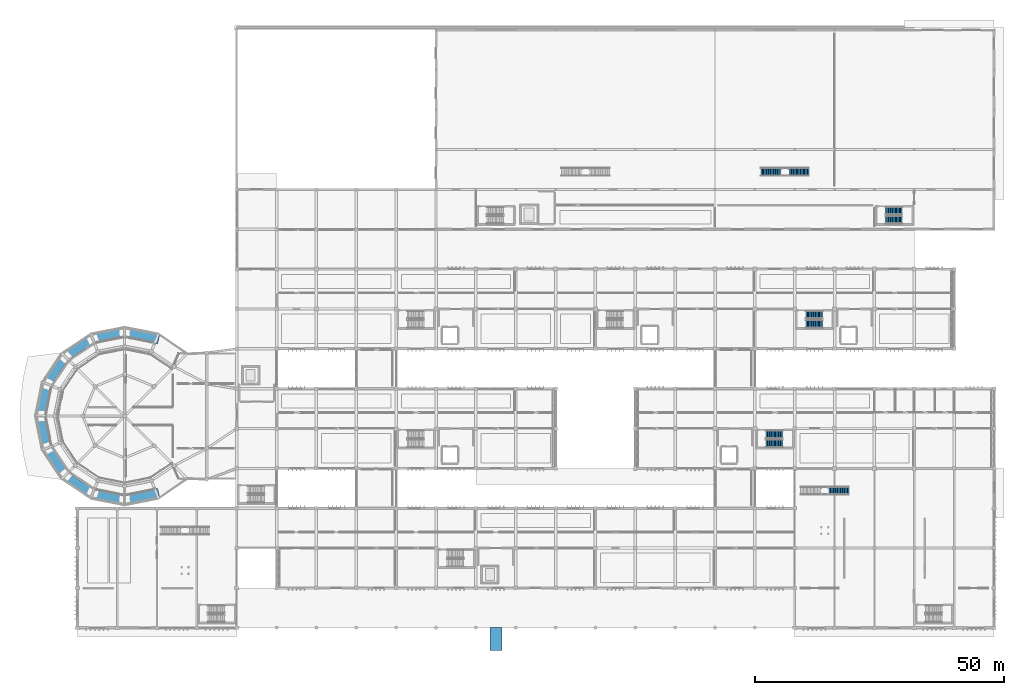
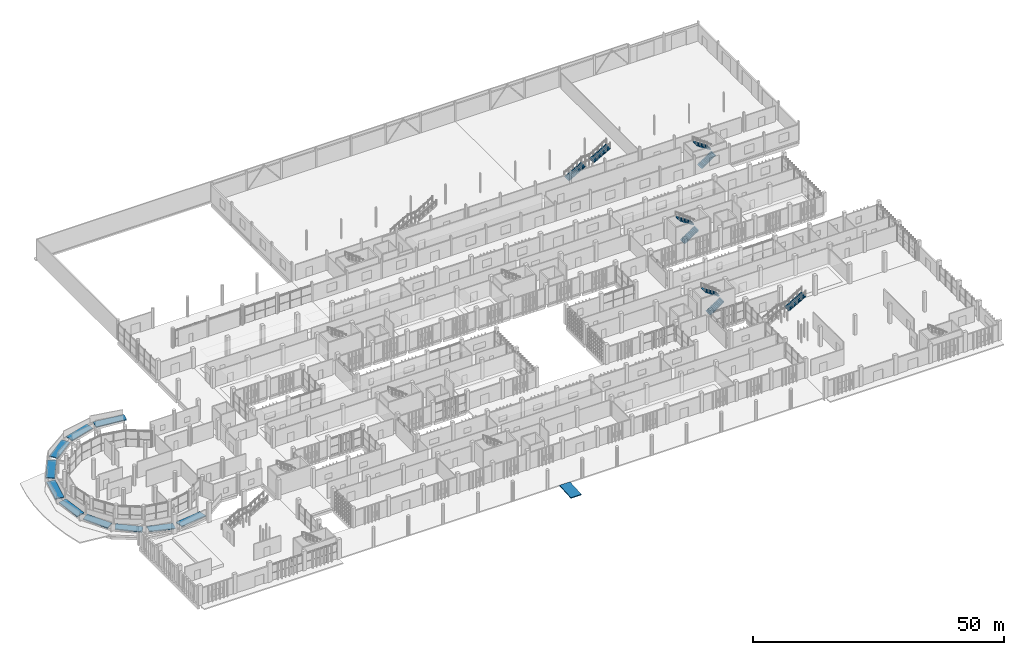
# One storey, part 100 of 117: 11 ramp flights, 9 stair flights, 7 elements without a shape of their own.
"""IFC4 building model written with IfcOpenShell, lengths in metres."""

from ifc_helpers import new_model, si_unit, direction, frame, origin, place, context, subcontext, project, spatial, polyline, outline, extrude, material, type_object, element, aggregate, save


model = new_model("IFC4")

# Units and contexts
model_context = context("Model", 3, precision=1e-05, world=origin(), true_north=direction((0.0, 1.0)))
body_context = subcontext(model_context, "Body", "Model", "MODEL_VIEW")
ifc_project = project(units=[si_unit("LENGTHUNIT", "METRE"), si_unit("AREAUNIT", "SQUARE_METRE"), si_unit("VOLUMEUNIT", "CUBIC_METRE"), si_unit("PLANEANGLEUNIT", "RADIAN"), si_unit("MASSUNIT", "GRAM", prefix="KILO")], contexts=[model_context])

# Site, building, storey
site_placement = place(None, origin())
site = spatial("IfcSite", under=ifc_project, at=site_placement, CompositionType="ELEMENT")
building_placement = place(site_placement, origin())
building = spatial("IfcBuilding", under=site, at=building_placement, Name="Jelvoka-Kovrelna Polytechnic", CompositionType="ELEMENT")
storey_placement = place(building_placement, origin())
storey = spatial("IfcBuildingStorey", under=building, at=storey_placement, Name="L01", CompositionType="ELEMENT", Elevation=0.0)

# Stair, stair flights
ifc_material_1 = material(Name="Concrete C35/45", Category="concrete")
stair_type_1 = type_object("IfcStairType", Name="Stair_Straight_1650", PredefinedType="STRAIGHT_RUN_STAIR", material=ifc_material_1)
stair_1_placement = place(storey_placement, origin())
stair_1 = element("IfcStair", 1, at=stair_1_placement, inside=storey, type_object=stair_type_1, Name="L01 straight feature stair ST13", PredefinedType="STRAIGHT_RUN_STAIR")
ifc_material_2 = material(Name="Concrete C35/45", Category="concrete")
stair_flight_type_1 = type_object("IfcStairFlightType", Name="Flight_RC_160", PredefinedType="STRAIGHT", material=ifc_material_2)
stair_flight_1_placement = place(storey_placement, frame((153.199951171875, 91.5, 0.0), z_axis=(0.0, 0.0, 1.0), x_axis=(1.0, 0.0, 0.0)))
stair_flight_1 = element("IfcStairFlight", 2, at=stair_flight_1_placement, type_object=stair_flight_type_1, Name="ST13 flight 1", NumberOfRisers=15, NumberOfTreads=14, PredefinedType="STRAIGHT", RiserHeight=0.16, TreadLength=0.28, context=body_context, shape_type="SweptSolid", body=[
    extrude(outline(polyline([(0.0, 0.0), (0.0, 0.159912109375), (0.280029296875, 0.159912109375), (0.280029296875, 0.320068359375), (0.56005859375, 0.320068359375), (0.56005859375, 0.47998046875), (0.840087890625, 0.47998046875), (0.840087890625, 0.639892578125), (1.1201171875, 0.639892578125), (1.1201171875, 0.800048828125), (1.39990234375, 0.800048828125), (1.39990234375, 0.9599609375), (1.679931640625, 0.9599609375), (1.679931640625, 1.1201171875), (1.9599609375, 1.1201171875), (1.9599609375, 1.280029296875), (2.239990234375, 1.280029296875), (2.239990234375, 1.43994140625), (2.52001953125, 1.43994140625), (2.52001953125, 1.60009765625), (2.800048828125, 1.60009765625), (2.800048828125, 1.760009765625), (3.080078125, 1.760009765625), (3.080078125, 1.919921875), (3.360107421875, 1.919921875), (3.360107421875, 2.080078125), (3.639892578125, 2.080078125), (3.639892578125, 2.239990234375), (3.919921875, 2.239990234375), (3.919921875, 2.39990234375), (3.919921875, 2.03271484375), (0.362548828125, 0.0), (0.0, 0.0)])), frame((0.0, 0.824951171875, 0.0), z_axis=(0.0, -1.0, 0.0), x_axis=(1.0, 0.0, 0.0)), (0.0, 0.0, 1.0), 1.64990234375),
])
stair_flight_2_placement = place(storey_placement, frame((158.919921875, 91.5, 2.39990234375), z_axis=(0.0, 0.0, 1.0), x_axis=(1.0, 0.0, 0.0)))
stair_flight_2 = element("IfcStairFlight", 3, at=stair_flight_2_placement, type_object=stair_flight_type_1, Name="ST13 flight 2", NumberOfRisers=15, NumberOfTreads=14, PredefinedType="STRAIGHT", RiserHeight=0.16, TreadLength=0.28, context=body_context, shape_type="SweptSolid", body=[
    extrude(outline(polyline([(0.0, 0.0), (0.0, 0.159912109375), (0.280029296875, 0.159912109375), (0.280029296875, 0.320068359375), (0.56005859375, 0.320068359375), (0.56005859375, 0.47998046875), (0.840087890625, 0.47998046875), (0.840087890625, 0.639892578125), (1.1201171875, 0.639892578125), (1.1201171875, 0.800048828125), (1.39990234375, 0.800048828125), (1.39990234375, 0.9599609375), (1.679931640625, 0.9599609375), (1.679931640625, 1.1201171875), (1.9599609375, 1.1201171875), (1.9599609375, 1.280029296875), (2.239990234375, 1.280029296875), (2.239990234375, 1.43994140625), (2.52001953125, 1.43994140625), (2.52001953125, 1.60009765625), (2.800048828125, 1.60009765625), (2.800048828125, 1.760009765625), (3.080078125, 1.760009765625), (3.080078125, 1.919921875), (3.360107421875, 1.919921875), (3.360107421875, 2.080078125), (3.639892578125, 2.080078125), (3.639892578125, 2.239990234375), (3.919921875, 2.239990234375), (3.919921875, 2.39990234375), (3.919921875, 2.03271484375), (0.362548828125, 0.0), (0.0, 0.0)])), frame((0.0, 0.824951171875, 0.0), z_axis=(0.0, -1.0, 0.0), x_axis=(1.0, 0.0, 0.0)), (0.0, 0.0, 1.0), 1.64990234375),
])
aggregate(stair_1, [stair_flight_1, stair_flight_2])

# Stair, stair flight
stair_2_placement = place(storey_placement, origin())
stair_2 = element("IfcStair", 4, at=stair_2_placement, inside=storey, type_object=stair_type_1, Name="L01 straight feature stair ST16", PredefinedType="STRAIGHT_RUN_STAIR")
stair_flight_3_placement = place(storey_placement, frame((166.919921875, 27.5, 2.39990234375), z_axis=(0.0, 0.0, 1.0), x_axis=(1.0, 0.0, 0.0)))
stair_flight_3 = element("IfcStairFlight", 5, at=stair_flight_3_placement, type_object=stair_flight_type_1, Name="ST16 flight 2", NumberOfRisers=15, NumberOfTreads=14, PredefinedType="STRAIGHT", RiserHeight=0.16, TreadLength=0.28, context=body_context, shape_type="SweptSolid", body=[
    extrude(outline(polyline([(0.0, 0.0), (0.0, 0.159912109375), (0.280029296875, 0.159912109375), (0.280029296875, 0.320068359375), (0.56005859375, 0.320068359375), (0.56005859375, 0.47998046875), (0.840087890625, 0.47998046875), (0.840087890625, 0.639892578125), (1.1201171875, 0.639892578125), (1.1201171875, 0.800048828125), (1.39990234375, 0.800048828125), (1.39990234375, 0.9599609375), (1.679931640625, 0.9599609375), (1.679931640625, 1.1201171875), (1.9599609375, 1.1201171875), (1.9599609375, 1.280029296875), (2.239990234375, 1.280029296875), (2.239990234375, 1.43994140625), (2.52001953125, 1.43994140625), (2.52001953125, 1.60009765625), (2.800048828125, 1.60009765625), (2.800048828125, 1.760009765625), (3.080078125, 1.760009765625), (3.080078125, 1.919921875), (3.360107421875, 1.919921875), (3.360107421875, 2.080078125), (3.639892578125, 2.080078125), (3.639892578125, 2.239990234375), (3.919921875, 2.239990234375), (3.919921875, 2.39990234375), (3.919921875, 2.03271484375), (0.362548828125, 0.0), (0.0, 0.0)])), frame((0.0, 0.824951171875, 0.0), z_axis=(0.0, -1.0, 0.0), x_axis=(1.0, 0.0, 0.0)), (0.0, 0.0, 1.0), 1.64990234375),
])
aggregate(stair_2, [stair_flight_3])

# Stair, stair flights
ifc_material_3 = material(Name="Concrete C35/45", Category="concrete")
stair_type_2 = type_object("IfcStairType", Name="Stair_Dogleg_1620", PredefinedType="TWO_STRAIGHT_RUN_STAIR", material=ifc_material_3)
stair_3_placement = place(storey_placement, origin())
stair_3 = element("IfcStair", 6, at=stair_3_placement, inside=storey, type_object=stair_type_2, Name="L01 ST02", PredefinedType="TWO_STRAIGHT_RUN_STAIR")
ifc_material_4 = material(Name="Concrete C35/45", Category="concrete")
stair_flight_type_2 = type_object("IfcStairFlightType", Name="Flight_RC_185", PredefinedType="STRAIGHT", material=ifc_material_4)
stair_flight_4_placement = place(storey_placement, frame((178.25, 81.909912109375, 0.0), z_axis=(0.0, 0.0, 1.0), x_axis=(1.0, 0.0, 0.0)))
stair_flight_4 = element("IfcStairFlight", 7, at=stair_flight_4_placement, type_object=stair_flight_type_2, Name="ST02 flight 1", NumberOfRisers=13, NumberOfTreads=12, PredefinedType="STRAIGHT", RiserHeight=0.184615385, TreadLength=0.275, context=body_context, shape_type="SweptSolid", body=[
    extrude(outline(polyline([(0.0, 0.0), (0.0, 0.1845703125), (0.27490234375, 0.1845703125), (0.27490234375, 0.369140625), (0.550048828125, 0.369140625), (0.550048828125, 0.553955078125), (0.824951171875, 0.553955078125), (0.824951171875, 0.738525390625), (1.10009765625, 0.738525390625), (1.10009765625, 0.923095703125), (1.375, 0.923095703125), (1.375, 1.107666015625), (1.64990234375, 1.107666015625), (1.64990234375, 1.292236328125), (1.925048828125, 1.292236328125), (1.925048828125, 1.476806640625), (2.199951171875, 1.476806640625), (2.199951171875, 1.66162109375), (2.47509765625, 1.66162109375), (2.47509765625, 1.84619140625), (2.75, 1.84619140625), (2.75, 2.03076171875), (3.02490234375, 2.03076171875), (3.02490234375, 2.21533203125), (3.300048828125, 2.21533203125), (3.300048828125, 2.39990234375), (3.300048828125, 1.998779296875), (0.32275390625, 0.0), (0.0, 0.0)])), frame((0.0, 0.81005859375, 0.0), z_axis=(0.0, -1.0, 0.0), x_axis=(1.0, 0.0, 0.0)), (0.0, 0.0, 1.0), 1.6201171875),
])
stair_flight_5_placement = place(storey_placement, frame((181.550048828125, 83.72998046875, 2.39990234375), z_axis=(0.0, 0.0, 1.0), x_axis=(-1.0, 0.0, 0.0)))
stair_flight_5 = element("IfcStairFlight", 8, at=stair_flight_5_placement, type_object=stair_flight_type_2, Name="ST02 flight 2", NumberOfRisers=13, NumberOfTreads=12, PredefinedType="STRAIGHT", RiserHeight=0.184615385, TreadLength=0.275, context=body_context, shape_type="SweptSolid", body=[
    extrude(outline(polyline([(0.0, 0.0), (0.0, 0.1845703125), (0.27490234375, 0.1845703125), (0.27490234375, 0.369140625), (0.550048828125, 0.369140625), (0.550048828125, 0.553955078125), (0.824951171875, 0.553955078125), (0.824951171875, 0.738525390625), (1.10009765625, 0.738525390625), (1.10009765625, 0.923095703125), (1.375, 0.923095703125), (1.375, 1.107666015625), (1.64990234375, 1.107666015625), (1.64990234375, 1.292236328125), (1.925048828125, 1.292236328125), (1.925048828125, 1.476806640625), (2.199951171875, 1.476806640625), (2.199951171875, 1.66162109375), (2.47509765625, 1.66162109375), (2.47509765625, 1.84619140625), (2.75, 1.84619140625), (2.75, 2.03076171875), (3.02490234375, 2.03076171875), (3.02490234375, 2.21533203125), (3.300048828125, 2.21533203125), (3.300048828125, 2.39990234375), (3.300048828125, 1.998779296875), (0.32275390625, 0.0), (0.0, 0.0)])), frame((0.0, 0.81005859375, 0.0), z_axis=(0.0, -1.0, 0.0), x_axis=(1.0, 0.0, 0.0)), (0.0, 0.0, 1.0), 1.6201171875),
])
aggregate(stair_3, [stair_flight_4, stair_flight_5])

stair_4_placement = place(storey_placement, origin())
stair_4 = element("IfcStair", 9, at=stair_4_placement, inside=storey, type_object=stair_type_2, Name="L01 ST08", PredefinedType="TWO_STRAIGHT_RUN_STAIR")
stair_flight_6_placement = place(storey_placement, frame((154.25, 37.010009765625, 0.0), z_axis=(0.0, 0.0, 1.0), x_axis=(1.0, 0.0, 0.0)))
stair_flight_6 = element("IfcStairFlight", 10, at=stair_flight_6_placement, type_object=stair_flight_type_2, Name="ST08 flight 1", NumberOfRisers=13, NumberOfTreads=12, PredefinedType="STRAIGHT", RiserHeight=0.184615385, TreadLength=0.275, context=body_context, shape_type="SweptSolid", body=[
    extrude(outline(polyline([(0.0, 0.0), (0.0, 0.1845703125), (0.27490234375, 0.1845703125), (0.27490234375, 0.369140625), (0.550048828125, 0.369140625), (0.550048828125, 0.553955078125), (0.824951171875, 0.553955078125), (0.824951171875, 0.738525390625), (1.10009765625, 0.738525390625), (1.10009765625, 0.923095703125), (1.375, 0.923095703125), (1.375, 1.107666015625), (1.64990234375, 1.107666015625), (1.64990234375, 1.292236328125), (1.925048828125, 1.292236328125), (1.925048828125, 1.476806640625), (2.199951171875, 1.476806640625), (2.199951171875, 1.66162109375), (2.47509765625, 1.66162109375), (2.47509765625, 1.84619140625), (2.75, 1.84619140625), (2.75, 2.03076171875), (3.02490234375, 2.03076171875), (3.02490234375, 2.21533203125), (3.300048828125, 2.21533203125), (3.300048828125, 2.39990234375), (3.300048828125, 1.998779296875), (0.32275390625, 0.0), (0.0, 0.0)])), frame((0.0, 0.81005859375, 0.0), z_axis=(0.0, -1.0, 0.0), x_axis=(1.0, 0.0, 0.0)), (0.0, 0.0, 1.0), 1.6201171875),
])
stair_flight_7_placement = place(storey_placement, frame((157.550048828125, 38.830078125, 2.39990234375), z_axis=(0.0, 0.0, 1.0), x_axis=(-1.0, 0.0, 0.0)))
stair_flight_7 = element("IfcStairFlight", 11, at=stair_flight_7_placement, type_object=stair_flight_type_2, Name="ST08 flight 2", NumberOfRisers=13, NumberOfTreads=12, PredefinedType="STRAIGHT", RiserHeight=0.184615385, TreadLength=0.275, context=body_context, shape_type="SweptSolid", body=[
    extrude(outline(polyline([(0.0, 0.0), (0.0, 0.1845703125), (0.27490234375, 0.1845703125), (0.27490234375, 0.369140625), (0.550048828125, 0.369140625), (0.550048828125, 0.553955078125), (0.824951171875, 0.553955078125), (0.824951171875, 0.738525390625), (1.10009765625, 0.738525390625), (1.10009765625, 0.923095703125), (1.375, 0.923095703125), (1.375, 1.107666015625), (1.64990234375, 1.107666015625), (1.64990234375, 1.292236328125), (1.925048828125, 1.292236328125), (1.925048828125, 1.476806640625), (2.199951171875, 1.476806640625), (2.199951171875, 1.66162109375), (2.47509765625, 1.66162109375), (2.47509765625, 1.84619140625), (2.75, 1.84619140625), (2.75, 2.03076171875), (3.02490234375, 2.03076171875), (3.02490234375, 2.21533203125), (3.300048828125, 2.21533203125), (3.300048828125, 2.39990234375), (3.300048828125, 1.998779296875), (0.32275390625, 0.0), (0.0, 0.0)])), frame((0.0, 0.81005859375, 0.0), z_axis=(0.0, -1.0, 0.0), x_axis=(1.0, 0.0, 0.0)), (0.0, 0.0, 1.0), 1.6201171875),
])
aggregate(stair_4, [stair_flight_6, stair_flight_7])

stair_5_placement = place(storey_placement, origin())
stair_5 = element("IfcStair", 12, at=stair_5_placement, inside=storey, type_object=stair_type_2, Name="L01 ST10", PredefinedType="TWO_STRAIGHT_RUN_STAIR")
stair_flight_8_placement = place(storey_placement, frame((162.25, 61.010009765625, 0.0), z_axis=(0.0, 0.0, 1.0), x_axis=(1.0, 0.0, 0.0)))
stair_flight_8 = element("IfcStairFlight", 13, at=stair_flight_8_placement, type_object=stair_flight_type_2, Name="ST10 flight 1", NumberOfRisers=13, NumberOfTreads=12, PredefinedType="STRAIGHT", RiserHeight=0.184615385, TreadLength=0.275, context=body_context, shape_type="SweptSolid", body=[
    extrude(outline(polyline([(0.0, 0.0), (0.0, 0.1845703125), (0.27490234375, 0.1845703125), (0.27490234375, 0.369140625), (0.550048828125, 0.369140625), (0.550048828125, 0.553955078125), (0.824951171875, 0.553955078125), (0.824951171875, 0.738525390625), (1.10009765625, 0.738525390625), (1.10009765625, 0.923095703125), (1.375, 0.923095703125), (1.375, 1.107666015625), (1.64990234375, 1.107666015625), (1.64990234375, 1.292236328125), (1.925048828125, 1.292236328125), (1.925048828125, 1.476806640625), (2.199951171875, 1.476806640625), (2.199951171875, 1.66162109375), (2.47509765625, 1.66162109375), (2.47509765625, 1.84619140625), (2.75, 1.84619140625), (2.75, 2.03076171875), (3.02490234375, 2.03076171875), (3.02490234375, 2.21533203125), (3.300048828125, 2.21533203125), (3.300048828125, 2.39990234375), (3.300048828125, 1.998779296875), (0.32275390625, 0.0), (0.0, 0.0)])), frame((0.0, 0.81005859375, 0.0), z_axis=(0.0, -1.0, 0.0), x_axis=(1.0, 0.0, 0.0)), (0.0, 0.0, 1.0), 1.6201171875),
])
stair_flight_9_placement = place(storey_placement, frame((165.550048828125, 62.830078125, 2.39990234375), z_axis=(0.0, 0.0, 1.0), x_axis=(-1.0, 0.0, 0.0)))
stair_flight_9 = element("IfcStairFlight", 14, at=stair_flight_9_placement, type_object=stair_flight_type_2, Name="ST10 flight 2", NumberOfRisers=13, NumberOfTreads=12, PredefinedType="STRAIGHT", RiserHeight=0.184615385, TreadLength=0.275, context=body_context, shape_type="SweptSolid", body=[
    extrude(outline(polyline([(0.0, 0.0), (0.0, 0.1845703125), (0.27490234375, 0.1845703125), (0.27490234375, 0.369140625), (0.550048828125, 0.369140625), (0.550048828125, 0.553955078125), (0.824951171875, 0.553955078125), (0.824951171875, 0.738525390625), (1.10009765625, 0.738525390625), (1.10009765625, 0.923095703125), (1.375, 0.923095703125), (1.375, 1.107666015625), (1.64990234375, 1.107666015625), (1.64990234375, 1.292236328125), (1.925048828125, 1.292236328125), (1.925048828125, 1.476806640625), (2.199951171875, 1.476806640625), (2.199951171875, 1.66162109375), (2.47509765625, 1.66162109375), (2.47509765625, 1.84619140625), (2.75, 1.84619140625), (2.75, 2.03076171875), (3.02490234375, 2.03076171875), (3.02490234375, 2.21533203125), (3.300048828125, 2.21533203125), (3.300048828125, 2.39990234375), (3.300048828125, 1.998779296875), (0.32275390625, 0.0), (0.0, 0.0)])), frame((0.0, 0.81005859375, 0.0), z_axis=(0.0, -1.0, 0.0), x_axis=(1.0, 0.0, 0.0)), (0.0, 0.0, 1.0), 1.6201171875),
])
aggregate(stair_5, [stair_flight_8, stair_flight_9])

# Ramp, ramp flights
ifc_material_5 = material(Name="Precast concrete C40/50", Category="concrete")
ramp_type = type_object("IfcRampType", Name="Ramp_Accessible_RC", PredefinedType="SPIRAL_RAMP", material=ifc_material_5)
ramp_1_placement = place(storey_placement, origin())
ramp_1 = element("IfcRamp", 15, at=ramp_1_placement, inside=storey, type_object=ramp_type, Name="L01 spiral rotunda accessible ramp", PredefinedType="SPIRAL_RAMP")
ramp_flight_type = type_object("IfcRampFlightType", Name="RampFlight_RC_220", PredefinedType="STRAIGHT", material=ifc_material_5)
ramp_flight_1_placement = place(None, frame((32.32666015625, 27.0947265625, 0.0), z_axis=(0.0, 0.0, 1.0), x_axis=(-0.97485927699, -0.222821430898, 0.0)))
ramp_flight_1 = element("IfcRampFlight", 16, at=ramp_flight_1_placement, type_object=ramp_flight_type, Name="L01 rotunda spiral ramp flight F01", PredefinedType="STRAIGHT", context=body_context, shape_type="SweptSolid", body=[
    extrude(outline(polyline([(0.0, 0.0), (6.444580078125, 0.47998046875), (6.444580078125, 0.260009765625), (0.0, -0.219970703125), (0.0, 0.0)])), frame((0.0, 0.929931640625, 0.0), z_axis=(0.0, -1.0, 0.0), x_axis=(1.0, 0.0, 0.0)), (0.0, 0.0, 1.0), 1.860107421875),
])
ramp_flight_2_placement = place(None, frame((24.9560546875, 25.65869140625, 0.47998046875), z_axis=(0.0, 0.0, 1.0), x_axis=(-0.980784885236, 0.195092308646, 0.0)))
ramp_flight_2 = element("IfcRampFlight", 17, at=ramp_flight_2_placement, type_object=ramp_flight_type, Name="L01 rotunda spiral ramp flight F02", PredefinedType="STRAIGHT", context=body_context, shape_type="SweptSolid", body=[
    extrude(outline(polyline([(0.0, 0.0), (5.504150390625, 0.47998046875), (5.504150390625, 0.260009765625), (0.0, -0.219970703125), (0.0, 0.0)])), frame((0.0, 0.929931640625, 0.0), z_axis=(0.0, -1.0, 0.0), x_axis=(1.0, 0.0, 0.0)), (0.0, 0.0, 1.0), 1.860107421875),
])
ramp_flight_3_placement = place(None, frame((18.552490234375, 27.14892578125, 0.9599609375), z_axis=(0.0, 0.0, 1.0), x_axis=(-0.831471251924, 0.555567779145, 0.0)))
ramp_flight_3 = element("IfcRampFlight", 18, at=ramp_flight_3_placement, type_object=ramp_flight_type, Name="L01 rotunda spiral ramp flight F03", PredefinedType="STRAIGHT", context=body_context, shape_type="SweptSolid", body=[
    extrude(outline(polyline([(0.0, 0.0), (5.504150390625, 0.47998046875), (5.504150390625, 0.260009765625), (0.0, -0.219970703125), (0.0, 0.0)])), frame((0.0, 0.929931640625, 0.0), z_axis=(0.0, -1.0, 0.0), x_axis=(1.0, 0.0, 0.0)), (0.0, 0.0, 1.0), 1.860107421875),
])
ramp_flight_4_placement = place(None, frame((13.206787109375, 30.97607421875, 1.43994140625), z_axis=(0.0, 0.0, 1.0), x_axis=(-0.555567779145, 0.831471251924, 0.0)))
ramp_flight_4 = element("IfcRampFlight", 19, at=ramp_flight_4_placement, type_object=ramp_flight_type, Name="L01 rotunda spiral ramp flight F04", PredefinedType="STRAIGHT", context=body_context, shape_type="SweptSolid", body=[
    extrude(outline(polyline([(0.0, 0.0), (5.504150390625, 0.47998046875), (5.504150390625, 0.260009765625), (0.0, -0.219970703125), (0.0, 0.0)])), frame((0.0, 0.929931640625, 0.0), z_axis=(0.0, -1.0, 0.0), x_axis=(1.0, 0.0, 0.0)), (0.0, 0.0, 1.0), 1.860107421875),
])
ramp_flight_5_placement = place(None, frame((9.732666015625, 36.5576171875, 1.919921875), z_axis=(0.0, 0.0, 1.0), x_axis=(-0.195092308646, 0.980784885236, 0.0)))
ramp_flight_5 = element("IfcRampFlight", 20, at=ramp_flight_5_placement, type_object=ramp_flight_type, Name="L01 rotunda spiral ramp flight F05", PredefinedType="STRAIGHT", context=body_context, shape_type="SweptSolid", body=[
    extrude(outline(polyline([(0.0, 0.0), (5.504150390625, 0.47998046875), (5.504150390625, 0.260009765625), (0.0, -0.219970703125), (0.0, 0.0)])), frame((0.0, 0.929931640625, 0.0), z_axis=(0.0, -1.0, 0.0), x_axis=(1.0, 0.0, 0.0)), (0.0, 0.0, 1.0), 1.860107421875),
])
ramp_flight_6_placement = place(None, frame((8.65869140625, 43.0439453125, 2.39990234375), z_axis=(0.0, 0.0, 1.0), x_axis=(0.195092308646, 0.980784885236, 0.0)))
ramp_flight_6 = element("IfcRampFlight", 21, at=ramp_flight_6_placement, type_object=ramp_flight_type, Name="L01 rotunda spiral ramp flight F06", PredefinedType="STRAIGHT", context=body_context, shape_type="SweptSolid", body=[
    extrude(outline(polyline([(0.0, 0.0), (5.504150390625, 0.47998046875), (5.504150390625, 0.260009765625), (0.0, -0.219970703125), (0.0, 0.0)])), frame((0.0, 0.929931640625, 0.0), z_axis=(0.0, -1.0, 0.0), x_axis=(1.0, 0.0, 0.0)), (0.0, 0.0, 1.0), 1.860107421875),
])
ramp_flight_7_placement = place(None, frame((10.14892578125, 49.447509765625, 2.8798828125), z_axis=(0.0, 0.0, 1.0), x_axis=(0.555567779145, 0.831471251924, 0.0)))
ramp_flight_7 = element("IfcRampFlight", 22, at=ramp_flight_7_placement, type_object=ramp_flight_type, Name="L01 rotunda spiral ramp flight F07", PredefinedType="STRAIGHT", context=body_context, shape_type="SweptSolid", body=[
    extrude(outline(polyline([(0.0, 0.0), (5.504150390625, 0.47998046875), (5.504150390625, 0.260009765625), (0.0, -0.219970703125), (0.0, 0.0)])), frame((0.0, 0.929931640625, 0.0), z_axis=(0.0, -1.0, 0.0), x_axis=(1.0, 0.0, 0.0)), (0.0, 0.0, 1.0), 1.860107421875),
])
ramp_flight_8_placement = place(None, frame((13.97607421875, 54.793212890625, 3.360107421875), z_axis=(0.0, 0.0, 1.0), x_axis=(0.831471251924, 0.555567779145, 0.0)))
ramp_flight_8 = element("IfcRampFlight", 23, at=ramp_flight_8_placement, type_object=ramp_flight_type, Name="L01 rotunda spiral ramp flight F08", PredefinedType="STRAIGHT", context=body_context, shape_type="SweptSolid", body=[
    extrude(outline(polyline([(0.0, 0.0), (5.504150390625, 0.47998046875), (5.504150390625, 0.260009765625), (0.0, -0.219970703125), (0.0, 0.0)])), frame((0.0, 0.929931640625, 0.0), z_axis=(0.0, -1.0, 0.0), x_axis=(1.0, 0.0, 0.0)), (0.0, 0.0, 1.0), 1.860107421875),
])
ramp_flight_9_placement = place(None, frame((19.5576171875, 58.267333984375, 3.840087890625), z_axis=(0.0, 0.0, 1.0), x_axis=(0.980784885236, 0.195092308646, 0.0)))
ramp_flight_9 = element("IfcRampFlight", 24, at=ramp_flight_9_placement, type_object=ramp_flight_type, Name="L01 rotunda spiral ramp flight F09", PredefinedType="STRAIGHT", context=body_context, shape_type="SweptSolid", body=[
    extrude(outline(polyline([(0.0, 0.0), (5.504150390625, 0.47998046875), (5.504150390625, 0.260009765625), (0.0, -0.219970703125), (0.0, 0.0)])), frame((0.0, 0.929931640625, 0.0), z_axis=(0.0, -1.0, 0.0), x_axis=(1.0, 0.0, 0.0)), (0.0, 0.0, 1.0), 1.860107421875),
])
ramp_flight_10_placement = place(None, frame((26.0439453125, 59.34130859375, 4.320068359375), z_axis=(0.0, 0.0, 1.0), x_axis=(0.97485927699, -0.222821430898, 0.0)))
ramp_flight_10 = element("IfcRampFlight", 25, at=ramp_flight_10_placement, type_object=ramp_flight_type, Name="L01 rotunda spiral ramp flight F10", PredefinedType="STRAIGHT", context=body_context, shape_type="SweptSolid", body=[
    extrude(outline(polyline([(0.0, 0.0), (6.444580078125, 0.47998046875), (6.444580078125, 0.260009765625), (0.0, -0.219970703125), (0.0, 0.0)])), frame((0.0, 0.929931640625, 0.0), z_axis=(0.0, -1.0, 0.0), x_axis=(1.0, 0.0, 0.0)), (0.0, 0.0, 1.0), 1.860107421875),
])
aggregate(ramp_1, [ramp_flight_1, ramp_flight_2, ramp_flight_3, ramp_flight_4, ramp_flight_5, ramp_flight_6, ramp_flight_7, ramp_flight_8, ramp_flight_9, ramp_flight_10])

# Ramp, ramp flight
ramp_2_placement = place(storey_placement, origin())
ramp_2 = element("IfcRamp", 26, at=ramp_2_placement, inside=storey, type_object=ramp_type, Name="L01 south avenue step-free entrance ramp", PredefinedType="STRAIGHT_RUN_RAMP")
ramp_flight_11_placement = place(None, frame((100.0, -4.52001953125, -0.280029296875), z_axis=(0.0, 0.0, 1.0), x_axis=(0.0, 1.0, 0.0)))
ramp_flight_11 = element("IfcRampFlight", 27, at=ramp_flight_11_placement, type_object=ramp_flight_type, Name="L01 main entrance ramp flight", PredefinedType="STRAIGHT", context=body_context, shape_type="SweptSolid", body=[
    extrude(outline(polyline([(0.0, 0.0), (4.5400390625, 0.280029296875), (4.5400390625, 0.06005859375), (0.0, -0.219970703125), (0.0, 0.0)])), frame((0.0, 1.199951171875, 0.0), z_axis=(0.0, -1.0, 0.0), x_axis=(1.0, 0.0, 0.0)), (0.0, 0.0, 1.0), 2.39990234375),
])
aggregate(ramp_2, [ramp_flight_11])

save(model, "model.ifc")
